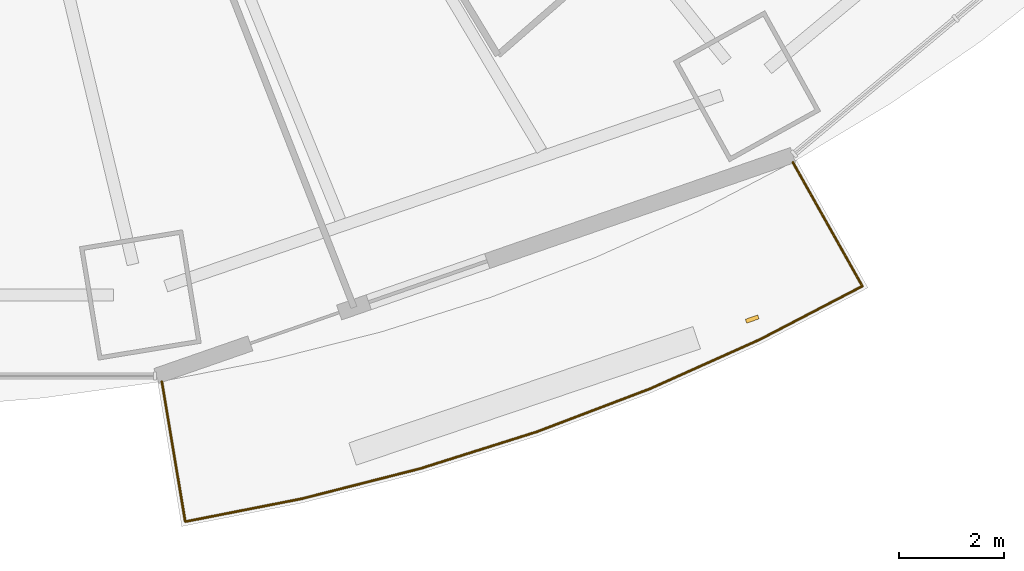
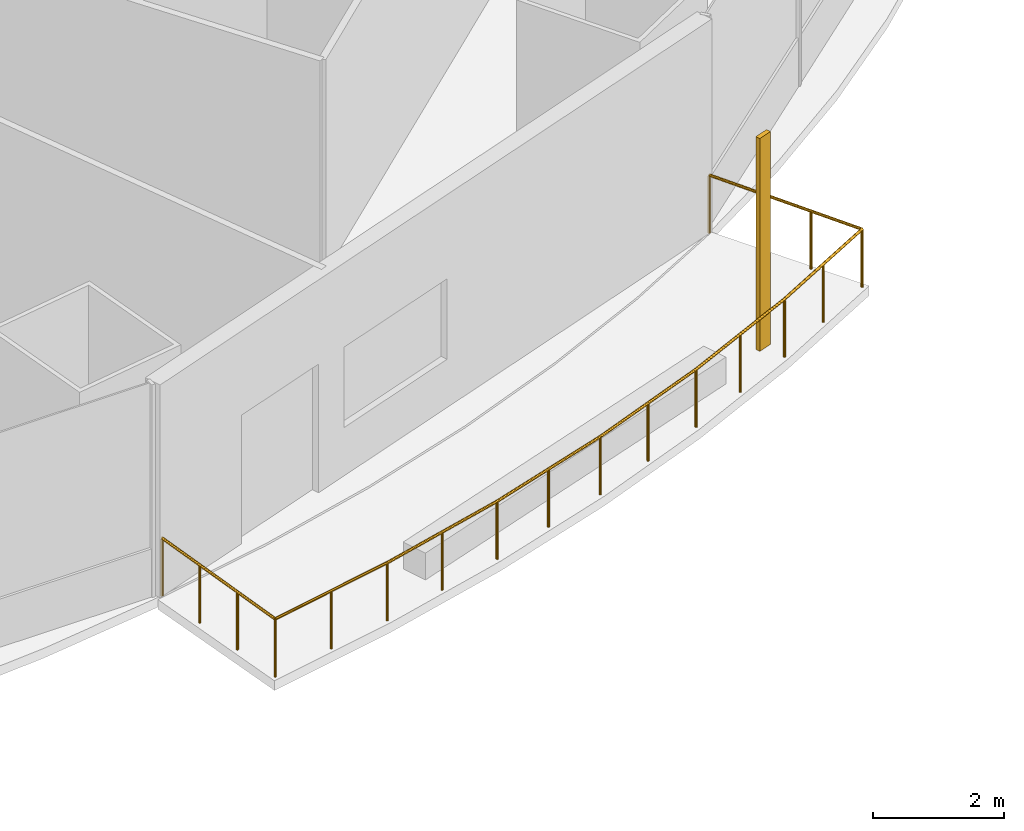
# One storey, part 18 of 21: 1 railing, 1 shading device.
"""IFC4 building model written with IfcOpenShell, lengths in metres."""

from ifc_helpers import new_model, si_unit, direction, frame, origin, origin_2d, place, context, subcontext, project, spatial, rectangle, circle, extrude, material, material_profile, profile_set, type_object, element, save


model = new_model("IFC4")

# Units and contexts
model_context = context("Model", 3, precision=1e-05, world=origin(), true_north=direction((0.0, 1.0)))
body_context = subcontext(model_context, "Body", "Model", "MODEL_VIEW")
ifc_project = project(units=[si_unit("LENGTHUNIT", "METRE"), si_unit("AREAUNIT", "SQUARE_METRE"), si_unit("VOLUMEUNIT", "CUBIC_METRE"), si_unit("PLANEANGLEUNIT", "RADIAN"), si_unit("MASSUNIT", "GRAM", prefix="KILO")], contexts=[model_context])

# Site, building, storey
site_placement = place(None, origin())
site = spatial("IfcSite", under=ifc_project, at=site_placement, CompositionType="ELEMENT")
building_placement = place(site_placement, origin())
building = spatial("IfcBuilding", under=site, at=building_placement, Name="Marenthal Gate Tower", CompositionType="ELEMENT")
storey_placement = place(building_placement, frame((0.0, 0.0, 124.300048828125)))
storey = spatial("IfcBuildingStorey", under=building, at=storey_placement, Name="L26", CompositionType="ELEMENT", Elevation=124.300048828125)

# Railing
ifc_material_1 = material(Name="Stainless steel", Category="steel")
railing_type = type_object("IfcRailingType", Name="Balcony guard 1100", PredefinedType="GUARDRAIL", material=ifc_material_1)
railing_placement = place(storey_placement, frame((18.766357421875, -23.687744140625, 0.0)))
element("IfcRailing", 1, at=railing_placement, inside=storey, type_object=railing_type, Name="Balcony guard L26 bay 13", PredefinedType="GUARDRAIL", context=body_context, shape_type="SweptSolid", body=[
    extrude(circle(Radius=0.02392578125, at=origin_2d()), frame((0.0, 0.0, 1.076171875), z_axis=(0.489197979897, -0.87204857286, -0.014718119373), x_axis=(0.872143041114, 0.489250974283, 0.0)), (0.0, 0.0, 1.0), 2.720458984375),
    extrude(circle(Radius=0.02392578125, at=origin_2d()), frame((1.330810546875, -2.372314453125, 1.0361328125), z_axis=(-0.887124453904, -0.461530284257, 0.0), x_axis=(0.461530284257, -0.887124453904, 0.0)), (0.0, 0.0, 1.0), 2.2080078125),
    extrude(circle(Radius=0.02392578125, at=origin_2d()), frame((-0.6279296875, -3.391357421875, 1.0361328125), z_axis=(-0.912452038961, -0.409183670979, 0.0), x_axis=(0.409183670979, -0.912452038961, 0.0)), (0.0, 0.0, 1.0), 2.30419921875),
    extrude(circle(Radius=0.02392578125, at=origin_2d()), frame((-2.73046875, -4.334228515625, 1.0361328125), z_axis=(-0.934727645052, -0.355364924515, 0.0), x_axis=(0.355364924515, -0.934727645052, 0.0)), (0.0, 0.0, 1.0), 2.3193359375),
    extrude(circle(Radius=0.02392578125, at=origin_2d()), frame((-4.8984375, -5.158447265625, 1.0361328125), z_axis=(-0.953617459754, -0.301021162798, 0.0), x_axis=(0.301021162798, -0.953617459754, 0.0)), (0.0, 0.0, 1.0), 2.33251953125),
    extrude(circle(Radius=0.02392578125, at=origin_2d()), frame((-7.122802734375, -5.860595703125, 1.0361328125), z_axis=(-0.969104417167, -0.246650823286, 0.0), x_axis=(0.246650823286, -0.969104417167, 0.0)), (0.0, 0.0, 1.0), 2.343994140625),
    extrude(circle(Radius=0.02392578125, at=origin_2d()), frame((-9.394287109375, -6.438720703125, 1.0361328125), z_axis=(-0.981203457672, -0.192976098658, 0.0), x_axis=(0.192976098658, -0.981203457672, 0.0)), (0.0, 0.0, 1.0), 2.2734375),
    extrude(circle(Radius=0.02392578125, at=origin_2d()), frame((-11.625, -6.87744140625, 1.0361328125), z_axis=(-0.164774109377, 0.986221507592, 0.014718384498), x_axis=(-0.986328347949, -0.164791959854, 0.0)), (0.0, 0.0, 1.0), 2.720458984375),
    extrude(circle(Radius=0.02099609375, at=origin_2d()), origin(), (0.0, 0.0, 1.0), 1.052001953125),
    extrude(circle(Radius=0.02099609375, at=origin_2d()), frame((0.443603515625, -0.790771484375, -0.013427734375)), (0.0, 0.0, 1.0), 1.052001953125),
    extrude(circle(Radius=0.02099609375, at=origin_2d()), frame((0.88720703125, -1.58154296875, -0.026611328125)), (0.0, 0.0, 1.0), 1.052001953125),
    extrude(circle(Radius=0.02099609375, at=origin_2d()), frame((1.330810546875, -2.372314453125, -0.0400390625)), (0.0, 0.0, 1.0), 1.052001953125),
    extrude(circle(Radius=0.02099609375, at=origin_2d()), frame((0.3515625, -2.8818359375, -0.0400390625)), (0.0, 0.0, 1.0), 1.052001953125),
    extrude(circle(Radius=0.02099609375, at=origin_2d()), frame((-0.6279296875, -3.391357421875, -0.0400390625)), (0.0, 0.0, 1.0), 1.052001953125),
    extrude(circle(Radius=0.02099609375, at=origin_2d()), frame((-1.67919921875, -3.86279296875, -0.0400390625)), (0.0, 0.0, 1.0), 1.052001953125),
    extrude(circle(Radius=0.02099609375, at=origin_2d()), frame((-2.73046875, -4.334228515625, -0.0400390625)), (0.0, 0.0, 1.0), 1.052001953125),
    extrude(circle(Radius=0.02099609375, at=origin_2d()), frame((-3.814453125, -4.746337890625, -0.0400390625)), (0.0, 0.0, 1.0), 1.052001953125),
    extrude(circle(Radius=0.02099609375, at=origin_2d()), frame((-4.8984375, -5.158447265625, -0.0400390625)), (0.0, 0.0, 1.0), 1.052001953125),
    extrude(circle(Radius=0.02099609375, at=origin_2d()), frame((-6.0107421875, -5.509521484375, -0.0400390625)), (0.0, 0.0, 1.0), 1.052001953125),
    extrude(circle(Radius=0.02099609375, at=origin_2d()), frame((-7.122802734375, -5.860595703125, -0.0400390625)), (0.0, 0.0, 1.0), 1.052001953125),
    extrude(circle(Radius=0.02099609375, at=origin_2d()), frame((-8.258544921875, -6.149658203125, -0.0400390625)), (0.0, 0.0, 1.0), 1.052001953125),
    extrude(circle(Radius=0.02099609375, at=origin_2d()), frame((-9.394287109375, -6.438720703125, -0.0400390625)), (0.0, 0.0, 1.0), 1.052001953125),
    extrude(circle(Radius=0.02099609375, at=origin_2d()), frame((-10.509765625, -6.658203125, -0.0400390625)), (0.0, 0.0, 1.0), 1.052001953125),
    extrude(circle(Radius=0.02099609375, at=origin_2d()), frame((-11.625, -6.87744140625, -0.0400390625)), (0.0, 0.0, 1.0), 1.052001953125),
    extrude(circle(Radius=0.02099609375, at=origin_2d()), frame((-11.7744140625, -5.983154296875, -0.026611328125)), (0.0, 0.0, 1.0), 1.052001953125),
    extrude(circle(Radius=0.02099609375, at=origin_2d()), frame((-11.923828125, -5.0888671875, -0.013427734375)), (0.0, 0.0, 1.0), 1.052001953125),
    extrude(circle(Radius=0.02099609375, at=origin_2d()), frame((-12.0732421875, -4.194580078125, 0.0)), (0.0, 0.0, 1.0), 1.052001953125),
])

# Shading device
ifc_material_2 = material(Name="Terracotta", Category="masonry")
ifc_material_profile = material_profile(ifc_material_2, rectangle(XDim=0.25, YDim=0.080078125, at=origin_2d()), Name="Terracotta baguette 250x80")
ifc_profile_set = profile_set([ifc_material_profile], Name="Terracotta")
shading_device_type = type_object("IfcShadingDeviceType", Name="Terracotta BAGUETTE SCREEN 250x80", PredefinedType="USERDEFINED", material=ifc_profile_set)
shading_device_placement = place(storey_placement, frame((17.989501953125, -26.689453125, -0.0400390625), z_axis=(0.0, 0.0, 1.0), x_axis=(0.944576320007, 0.328291906207, 0.0)))
element("IfcShadingDevice", 2, at=shading_device_placement, inside=storey, type_object=shading_device_type, Name="Terracotta BAGUETTE L26 bay 13R", ObjectType="BAGUETTE SCREEN", PredefinedType="USERDEFINED", context=body_context, shape_type="SweptSolid", body=[
    extrude(rectangle(XDim=0.25, YDim=0.080078125, at=origin_2d()), origin(), (0.0, 0.0, 1.0), 3.969970703125),
])

save(model, "model.ifc")
